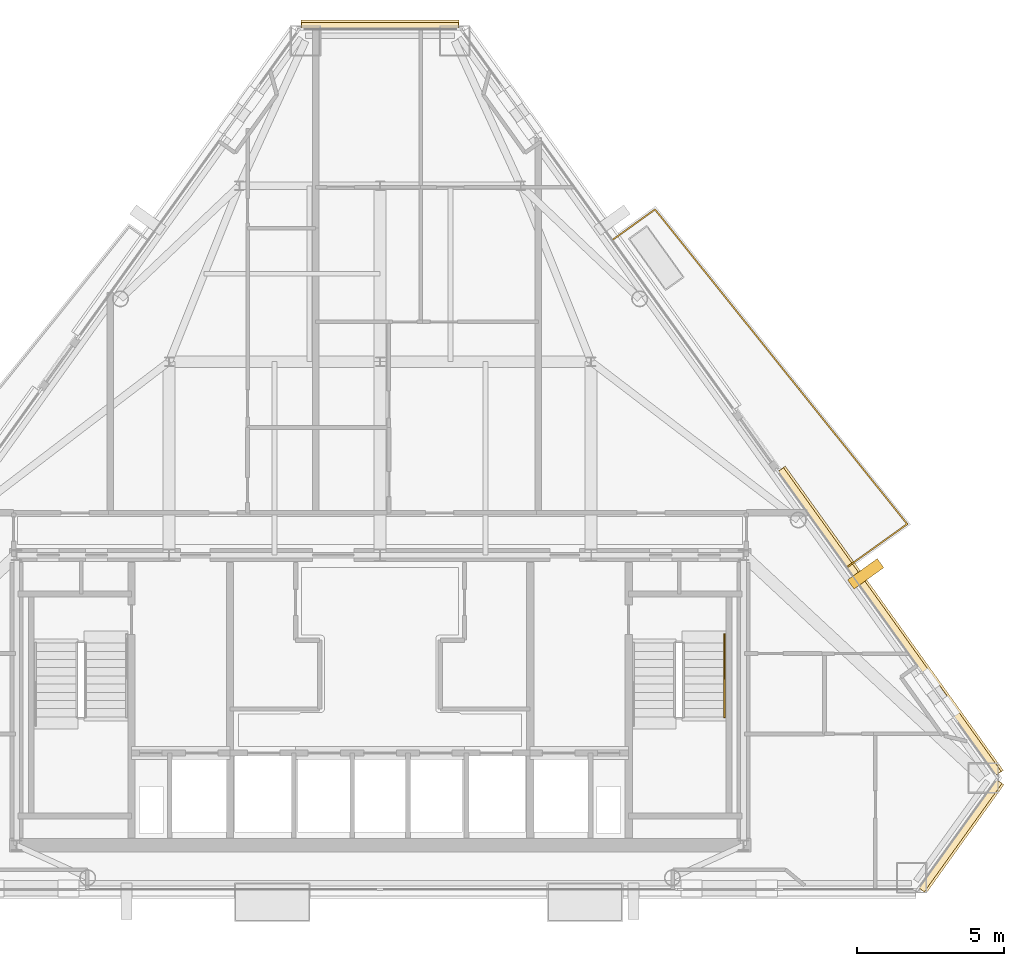
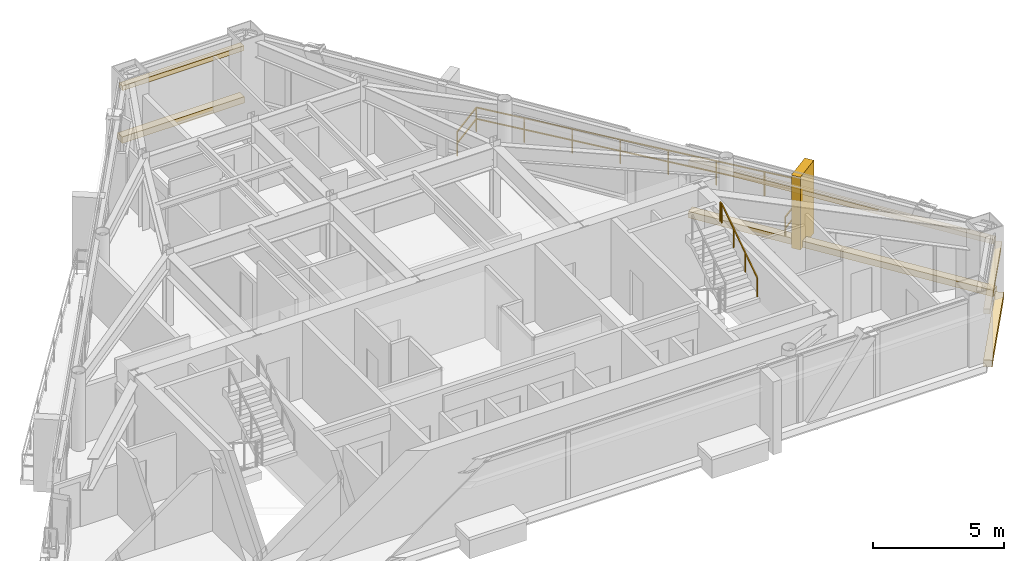
# One storey, part 11 of 11: 7 coverings, 2 railings.
"""IFC4 building model written with IfcOpenShell, lengths in metres."""

from ifc_helpers import new_model, si_unit, direction, frame, origin, origin_2d, place, context, subcontext, project, spatial, rectangle, extrude, material, layer, layer_set, type_object, element, save


model = new_model("IFC4")

# Units and contexts
model_context = context("Model", 3, precision=1e-05, world=origin(), true_north=direction((0.0, 1.0)))
body_context = subcontext(model_context, "Body", "Model", "MODEL_VIEW")
ifc_project = project(units=[si_unit("LENGTHUNIT", "METRE"), si_unit("AREAUNIT", "SQUARE_METRE"), si_unit("VOLUMEUNIT", "CUBIC_METRE"), si_unit("PLANEANGLEUNIT", "RADIAN"), si_unit("MASSUNIT", "GRAM", prefix="KILO")], contexts=[model_context])

# Site, building, storey
site_placement = place(None, origin())
site = spatial("IfcSite", under=ifc_project, at=site_placement, CompositionType="ELEMENT")
building_placement = place(site_placement, origin())
building = spatial("IfcBuilding", under=site, at=building_placement, Name="Talgorran Terracotta Tower", CompositionType="ELEMENT")
storey_placement = place(building_placement, frame((0.0, 0.0, 237.0)))
storey = spatial("IfcBuildingStorey", under=building, at=storey_placement, Name="L62", CompositionType="ELEMENT", Elevation=237.0)

# Coverings
ifc_material_1 = material(Name="Kiln-Fired Terracotta Ochre Ceramic", Category="masonry")
ifc_layer_1 = layer(ifc_material_1, 0.179931640625, Name="COV_BAGUETTE_TERRACOTTA_SCREEN")
ifc_layer_set_1 = layer_set([ifc_layer_1], Name="Kiln-Fired Terracotta Ochre Ceramic")
covering_type_1 = type_object("IfcCoveringType", Name="COV_BAGUETTE_TERRACOTTA_SCREEN", PredefinedType="CLADDING", material=ifc_layer_set_1)
covering_1_placement = place(storey_placement, frame((19.7880859375, -13.76318359375, 2.41015625), z_axis=(0.0, 0.0, 1.0), x_axis=(0.582662110936, 0.812714503673, 0.0)))
element("IfcCovering", 1, at=covering_1_placement, inside=storey, type_object=covering_type_1, Name="L62 Terracotta Baguette Solar Screen Assembly F2", PredefinedType="CLADDING", context=body_context, shape_type="SweptSolid", body=[
    extrude(rectangle(XDim=4.542724609375, YDim=0.260009765625, at=origin_2d()), origin(), (0.0, 0.0, 1.0), 0.219970703125),
])
covering_2_placement = place(storey_placement, frame((17.374267578125, -6.473876953125, 2.41015625), z_axis=(0.0, 0.0, 1.0), x_axis=(-0.582662110936, 0.812714503673, 0.0)))
element("IfcCovering", 2, at=covering_2_placement, inside=storey, type_object=covering_type_1, Name="L62 Terracotta Baguette Solar Screen Assembly F40", PredefinedType="CLADDING", context=body_context, shape_type="SweptSolid", body=[
    extrude(rectangle(XDim=12.74853515625, YDim=0.260009765625, at=origin_2d()), origin(), (0.0, 0.0, 1.0), 0.219970703125),
])
covering_3_placement = place(storey_placement, frame((0.0, 13.8486328125, 2.41015625), z_axis=(0.0, 0.0, 1.0), x_axis=(-1.0, 0.0, 0.0)))
element("IfcCovering", 3, at=covering_3_placement, inside=storey, type_object=covering_type_1, Name="L62 Terracotta Baguette Solar Screen Assembly F4", PredefinedType="CLADDING", context=body_context, shape_type="SweptSolid", body=[
    extrude(rectangle(XDim=5.36572265625, YDim=0.260009765625, at=origin_2d()), origin(), (0.0, 0.0, 1.0), 0.219970703125),
])
ifc_material_2 = material(Name="Honed Limestone Cladding", Category="masonry")
ifc_layer_2 = layer(ifc_material_2, 0.094970703125, Name="COV_PORTAL_LIME")
ifc_layer_set_2 = layer_set([ifc_layer_2], Name="Honed Limestone Cladding")
covering_type_2 = type_object("IfcCoveringType", Name="COV_PORTAL_LIME", PredefinedType="CLADDING", material=ifc_layer_set_2)
covering_4_placement = place(storey_placement, frame((19.820556640625, -13.78662109375, -0.0400390625), z_axis=(0.0, 0.0, 1.0), x_axis=(0.582662110936, 0.812714503673, 0.0)))
element("IfcCovering", 4, at=covering_4_placement, inside=storey, type_object=covering_type_2, Name="L62 Striped Postmodern Portal Cladding Band F2", PredefinedType="CLADDING", context=body_context, shape_type="SweptSolid", body=[
    extrude(rectangle(XDim=4.562744140625, YDim=0.340087890625, at=origin_2d()), origin(), (0.0, 0.0, 1.0), 0.300048828125),
])
covering_5_placement = place(storey_placement, frame((17.40673828125, -6.45068359375, -0.0400390625), z_axis=(0.0, 0.0, 1.0), x_axis=(-0.582662110936, 0.812714503673, 0.0)))
element("IfcCovering", 5, at=covering_5_placement, inside=storey, type_object=covering_type_2, Name="L62 Striped Postmodern Portal Cladding Band F40", PredefinedType="CLADDING", context=body_context, shape_type="SweptSolid", body=[
    extrude(rectangle(XDim=12.7685546875, YDim=0.340087890625, at=origin_2d()), origin(), (0.0, 0.0, 1.0), 0.300048828125),
])
covering_6_placement = place(storey_placement, frame((0.0, 13.888671875, -0.0400390625), z_axis=(0.0, 0.0, 1.0), x_axis=(-1.0, 0.0, 0.0)))
element("IfcCovering", 6, at=covering_6_placement, inside=storey, type_object=covering_type_2, Name="L62 Striped Postmodern Portal Cladding Band F4", PredefinedType="CLADDING", context=body_context, shape_type="SweptSolid", body=[
    extrude(rectangle(XDim=5.3857421875, YDim=0.340087890625, at=origin_2d()), origin(), (0.0, 0.0, 1.0), 0.300048828125),
])
ifc_material_3 = material(Name="Kiln-Fired Terracotta Cladding", Category="masonry")
ifc_layer_3 = layer(ifc_material_3, 0.090087890625, Name="COV_PORTAL_TERRA")
ifc_layer_set_3 = layer_set([ifc_layer_3], Name="Kiln-Fired Terracotta Cladding")
covering_type_3 = type_object("IfcCoveringType", Name="COV_PORTAL_TERRA", PredefinedType="CLADDING", material=ifc_layer_set_3)
covering_7_placement = place(storey_placement, frame((16.569091796875, -4.836181640625, -0.050048828125), z_axis=(0.0, 0.0, 1.0), x_axis=(-0.582662110936, 0.812714503673, 0.0)))
element("IfcCovering", 7, at=covering_7_placement, inside=storey, type_object=covering_type_3, Name="L62 Terracotta Striped Portal Fin F3-1", PredefinedType="CLADDING", context=body_context, shape_type="SweptSolid", body=[
    extrude(rectangle(XDim=0.3798828125, YDim=1.25, at=origin_2d()), origin(), (0.0, 0.0, 1.0), 3.39501953125),
])

# Railings
ifc_material_4 = material(Name="Laminated Glass and Stainless Steel 316", Category="steel")
railing_type_1 = type_object("IfcRailingType", Name="RL_BALCONY_1150", PredefinedType="BALUSTRADE", material=ifc_material_4)
railing_1_placement = place(storey_placement, frame((15.937744140625, -4.607421875, 0.0)))
element("IfcRailing", 8, at=railing_1_placement, inside=storey, type_object=railing_type_1, Name="RL-L62-BAL-BAL-NE", PredefinedType="BALUSTRADE", context=body_context, shape_type="SweptSolid", body=[
    extrude(rectangle(XDim=0.048095703125, YDim=0.048095703125, at=origin_2d()), frame((0.0, 0.0, 1.1259765625), z_axis=(0.812724655346, 0.582647950818, 0.0), x_axis=(-0.582647950818, 0.812724655346, 0.0)), (0.0, 0.0, 1.0), 2.521240234375),
    extrude(rectangle(XDim=0.048095703125, YDim=0.048095703125, at=origin_2d()), frame((0.0, 0.0, 0.597900390625), z_axis=(0.812724655346, 0.582647950818, 0.0), x_axis=(-0.582647950818, 0.812724655346, 0.0)), (0.0, 0.0, 1.0), 2.521240234375),
    extrude(rectangle(XDim=0.048095703125, YDim=0.048095703125, at=origin_2d()), frame((2.049072265625, 1.468994140625, 1.1259765625), z_axis=(-0.625571093208, 0.780167166281, 0.0), x_axis=(-0.780167166281, -0.625571093208, 0.0)), (0.0, 0.0, 1.0), 13.758056640625),
    extrude(rectangle(XDim=0.048095703125, YDim=0.048095703125, at=origin_2d()), frame((2.049072265625, 1.468994140625, 0.597900390625), z_axis=(-0.625571093208, 0.780167166281, 0.0), x_axis=(-0.780167166281, -0.625571093208, 0.0)), (0.0, 0.0, 1.0), 13.758056640625),
    extrude(rectangle(XDim=0.048095703125, YDim=0.048095703125, at=origin_2d()), frame((-6.5576171875, 12.20263671875, 1.1259765625), z_axis=(-0.812666701816, -0.582728780617, 0.0), x_axis=(0.582728780617, -0.812666701816, 0.0)), (0.0, 0.0, 1.0), 1.780517578125),
    extrude(rectangle(XDim=0.048095703125, YDim=0.048095703125, at=origin_2d()), frame((-6.5576171875, 12.20263671875, 0.597900390625), z_axis=(-0.812666701816, -0.582728780617, 0.0), x_axis=(0.582728780617, -0.812666701816, 0.0)), (0.0, 0.0, 1.0), 1.780517578125),
    extrude(rectangle(XDim=0.0419921875, YDim=0.0419921875, at=origin_2d()), origin(), (0.0, 0.0, 1.0), 1.101806640625),
    extrude(rectangle(XDim=0.0419921875, YDim=0.0419921875, at=origin_2d()), frame((1.0244140625, 0.734375, 0.0)), (0.0, 0.0, 1.0), 1.101806640625),
    extrude(rectangle(XDim=0.0419921875, YDim=0.0419921875, at=origin_2d()), frame((2.049072265625, 1.468994140625, 0.0)), (0.0, 0.0, 1.0), 1.101806640625),
    extrude(rectangle(XDim=0.0419921875, YDim=0.0419921875, at=origin_2d()), frame((0.819580078125, 3.00244140625, 0.0)), (0.0, 0.0, 1.0), 1.101806640625),
    extrude(rectangle(XDim=0.0419921875, YDim=0.0419921875, at=origin_2d()), frame((-0.409912109375, 4.53564453125, 0.0)), (0.0, 0.0, 1.0), 1.101806640625),
    extrude(rectangle(XDim=0.0419921875, YDim=0.0419921875, at=origin_2d()), frame((-1.639404296875, 6.069091796875, 0.0)), (0.0, 0.0, 1.0), 1.101806640625),
    extrude(rectangle(XDim=0.0419921875, YDim=0.0419921875, at=origin_2d()), frame((-2.869140625, 7.6025390625, 0.0)), (0.0, 0.0, 1.0), 1.101806640625),
    extrude(rectangle(XDim=0.0419921875, YDim=0.0419921875, at=origin_2d()), frame((-4.0986328125, 9.135986328125, 0.0)), (0.0, 0.0, 1.0), 1.101806640625),
    extrude(rectangle(XDim=0.0419921875, YDim=0.0419921875, at=origin_2d()), frame((-5.328125, 10.669189453125, 0.0)), (0.0, 0.0, 1.0), 1.101806640625),
    extrude(rectangle(XDim=0.0419921875, YDim=0.0419921875, at=origin_2d()), frame((-6.5576171875, 12.20263671875, 0.0)), (0.0, 0.0, 1.0), 1.101806640625),
    extrude(rectangle(XDim=0.0419921875, YDim=0.0419921875, at=origin_2d()), frame((-8.004638671875, 11.1650390625, 0.0)), (0.0, 0.0, 1.0), 1.101806640625),
])
ifc_material_5 = material(Name="Steel S355 (300PLUS)", Category="steel")
railing_type_2 = type_object("IfcRailingType", Name="RL_HANDRAIL_920", PredefinedType="HANDRAIL", material=ifc_material_5)
railing_2_placement = place(storey_placement, frame((11.75, -9.719970703125, 1.97998046875)))
element("IfcRailing", 9, at=railing_2_placement, inside=storey, type_object=railing_type_2, Name="L62 ST-02 stair handrail 2", PredefinedType="HANDRAIL", context=body_context, shape_type="SweptSolid", body=[
    extrude(rectangle(XDim=0.048095703125, YDim=0.048095703125, at=origin_2d()), frame((0.0, 0.0, 0.89599609375), z_axis=(0.0, 0.832038719335, 0.554717558338), x_axis=(-1.0, 0.0, 0.0)), (0.0, 0.0, 1.0), 3.244873046875),
    extrude(rectangle(XDim=0.048095703125, YDim=0.048095703125, at=origin_2d()), frame((0.0, 2.699951171875, 2.69580078125), z_axis=(0.0, 1.0, 0.0), x_axis=(-1.0, 0.0, 0.0)), (0.0, 0.0, 1.0), 0.1201171875),
    extrude(rectangle(XDim=0.0419921875, YDim=0.0419921875, at=origin_2d()), origin(), (0.0, 0.0, 1.0), 0.871826171875),
    extrude(rectangle(XDim=0.0419921875, YDim=0.0419921875, at=origin_2d()), frame((0.0, 0.89990234375, 0.60009765625)), (0.0, 0.0, 1.0), 0.871826171875),
    extrude(rectangle(XDim=0.0419921875, YDim=0.0419921875, at=origin_2d()), frame((0.0, 1.800048828125, 1.199951171875)), (0.0, 0.0, 1.0), 0.871826171875),
    extrude(rectangle(XDim=0.0419921875, YDim=0.0419921875, at=origin_2d()), frame((0.0, 2.699951171875, 1.800048828125)), (0.0, 0.0, 1.0), 0.871826171875),
    extrude(rectangle(XDim=0.0419921875, YDim=0.0419921875, at=origin_2d()), frame((0.0, 2.820068359375, 1.800048828125)), (0.0, 0.0, 1.0), 0.871826171875),
])

save(model, "model.ifc")
